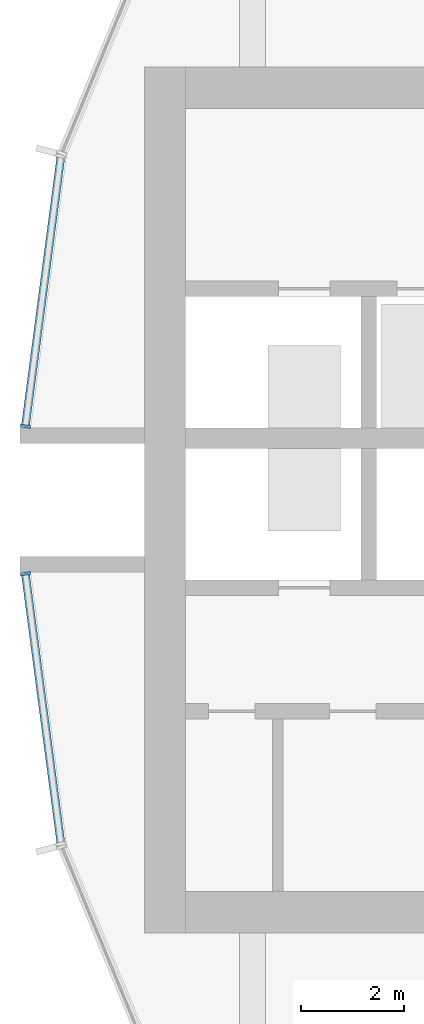
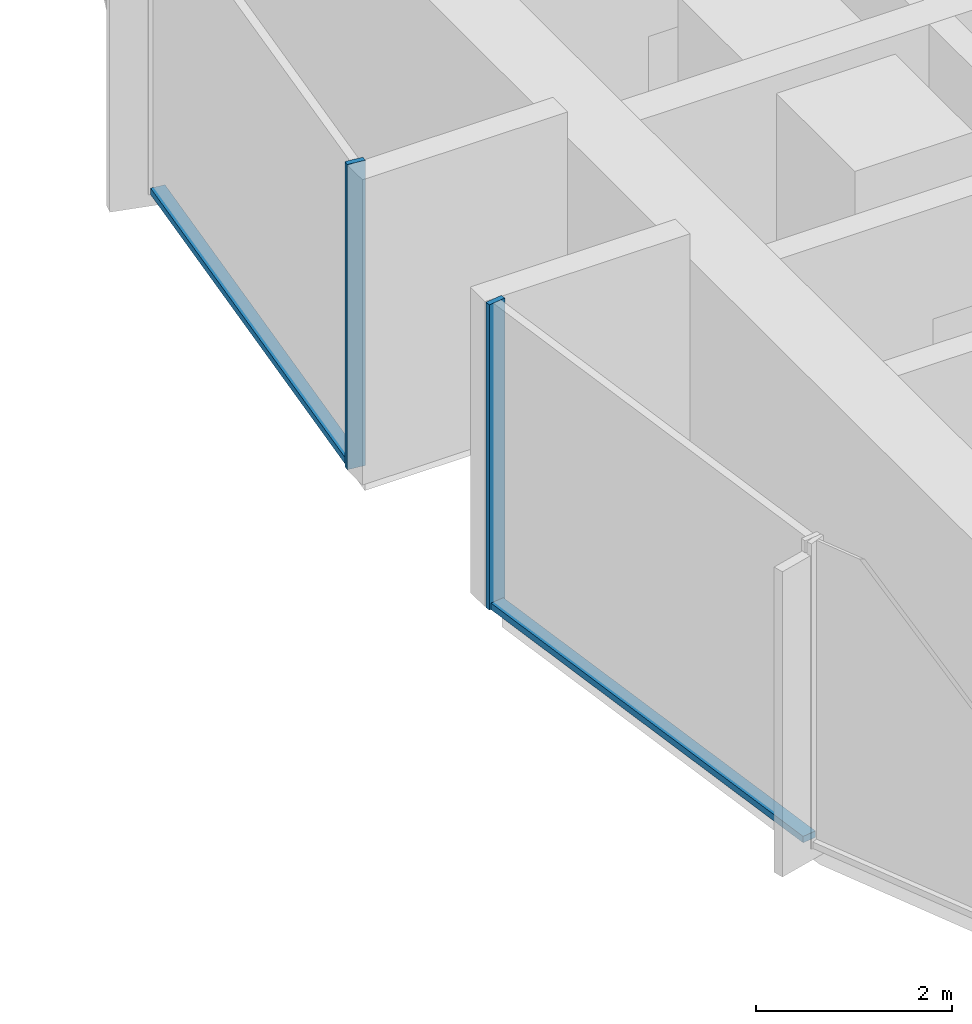
# One storey, part 3 of 15: 4 members, 2 elements without a shape of their own.
"""IFC4 building model written with IfcOpenShell, lengths in metres."""

from ifc_helpers import new_model, si_unit, direction, frame, origin, origin_2d, place, context, subcontext, project, spatial, rectangle, extrude, material, layer, layer_set, material_profile, profile_set, type_object, element, aggregate, save


model = new_model("IFC4")

# Units and contexts
model_context = context("Model", 3, precision=1e-05, world=origin(), true_north=direction((0.0, 1.0)))
body_context = subcontext(model_context, "Body", "Model", "MODEL_VIEW")
ifc_project = project(units=[si_unit("LENGTHUNIT", "METRE"), si_unit("AREAUNIT", "SQUARE_METRE"), si_unit("VOLUMEUNIT", "CUBIC_METRE"), si_unit("PLANEANGLEUNIT", "RADIAN"), si_unit("MASSUNIT", "GRAM", prefix="KILO")], contexts=[model_context])

# Site, building, storey
site_placement = place(None, origin())
site = spatial("IfcSite", under=ifc_project, at=site_placement, CompositionType="ELEMENT")
building_placement = place(site_placement, origin())
building = spatial("IfcBuilding", under=site, at=building_placement, Name="Torre Brocal", CompositionType="ELEMENT")
storey_placement = place(building_placement, frame((0.0, 0.0, 63.0)))
storey = spatial("IfcBuildingStorey", under=building, at=storey_placement, Name="L14", CompositionType="ELEMENT", Elevation=63.0)

# Curtain wall, member
ifc_material_1 = material(Name="Aluminium and glass", Category="aluminium")
ifc_layer = layer(ifc_material_1, 0.199951171875)
ifc_layer_set = layer_set([ifc_layer], Name="Aluminium and glass")
curtain_wall_type = type_object("IfcCurtainWallType", Name="CW-1B CURTAIN WALL 3800 HIGH", PredefinedType="NOTDEFINED", material=ifc_layer_set)
curtain_wall_1_placement = place(storey_placement, origin())
curtain_wall_1 = element("IfcCurtainWall", 1, at=curtain_wall_1_placement, inside=storey, type_object=curtain_wall_type, Name="CW-1B RUN 12", PredefinedType="NOTDEFINED")
ifc_material_2 = material(Name="Aluminium, dark anodised", Category="aluminium")
ifc_material_profile_1 = material_profile(ifc_material_2, rectangle(XDim=0.199951171875, YDim=0.06005859375, at=origin_2d()), Name="CW-1B MULLION 60X200")
ifc_profile_set_1 = profile_set([ifc_material_profile_1], Name="Aluminium, dark anodised")
member_type_1 = type_object("IfcMemberType", Name="CW-1B MULLION 60X200", PredefinedType="MULLION", material=ifc_profile_set_1)
member_1_placement = place(storey_placement, frame((54.2890625, 76.4296875, 0.0), z_axis=(0.0, 0.0, 1.0), x_axis=(0.991444861374, -0.13052619222, 0.0)))
member_1 = element("IfcMember", 2, at=member_1_placement, type_object=member_type_1, Name="CW1B-1 mullion 2", PredefinedType="MULLION", context=body_context, shape_type="SweptSolid", body=[
    extrude(rectangle(XDim=0.199951171875, YDim=0.06005859375, at=origin_2d()), origin(), (0.0, 0.0, 1.0), 3.800048828125),
])

curtain_wall_2_placement = place(storey_placement, origin())
curtain_wall_2 = element("IfcCurtainWall", 3, at=curtain_wall_2_placement, inside=storey, type_object=curtain_wall_type, Name="CW-1B RUN 13", PredefinedType="NOTDEFINED")
member_2_placement = place(storey_placement, frame((54.2890625, 73.5703125, 0.0), z_axis=(0.0, 0.0, 1.0), x_axis=(0.991444861374, 0.13052619222, 0.0)))
member_2 = element("IfcMember", 4, at=member_2_placement, type_object=member_type_1, Name="CW1B-1 mullion 1", PredefinedType="MULLION", context=body_context, shape_type="SweptSolid", body=[
    extrude(rectangle(XDim=0.199951171875, YDim=0.06005859375, at=origin_2d()), origin(), (0.0, 0.0, 1.0), 3.800048828125),
])

# Member
ifc_material_3 = material(Name="Aluminium, dark anodised", Category="aluminium")
ifc_material_profile_2 = material_profile(ifc_material_3, rectangle(XDim=0.159912109375, YDim=0.080078125, at=origin_2d()), Name="CW-1B TRANSOM 160X80")
ifc_profile_set_2 = profile_set([ifc_material_profile_2], Name="Aluminium, dark anodised")
member_type_2 = type_object("IfcMemberType", Name="CW-1B TRANSOM 160X80", PredefinedType="USERDEFINED", material=ifc_profile_set_2)
member_3_placement = place(storey_placement, frame((54.9755859375, 81.643798828125, 0.0400390625), z_axis=(-0.130542677827, -0.991442690863, 0.0), x_axis=(0.991442690863, -0.130542677827, 0.0)))
member_3 = element("IfcMember", 5, at=member_3_placement, type_object=member_type_2, Name="CW1B-1 transom 1.1", ObjectType="TRANSOM", PredefinedType="USERDEFINED", context=body_context, shape_type="SweptSolid", body=[
    extrude(rectangle(XDim=0.159912109375, YDim=0.080078125, at=origin_2d()), origin(), (0.0, 0.0, 1.0), 5.22900390625),
])

aggregate(curtain_wall_1, [member_1, member_3])

member_4_placement = place(storey_placement, frame((54.29296875, 73.54052734375, 0.0400390625), z_axis=(0.130542677827, -0.991442690863, 0.0), x_axis=(0.991442690863, 0.130542677827, 0.0)))
member_4 = element("IfcMember", 6, at=member_4_placement, type_object=member_type_2, Name="CW1B-1 transom 1.1", ObjectType="TRANSOM", PredefinedType="USERDEFINED", context=body_context, shape_type="SweptSolid", body=[
    extrude(rectangle(XDim=0.159912109375, YDim=0.080078125, at=origin_2d()), origin(), (0.0, 0.0, 1.0), 5.22900390625),
])

aggregate(curtain_wall_2, [member_2, member_4])

save(model, "model.ifc")
